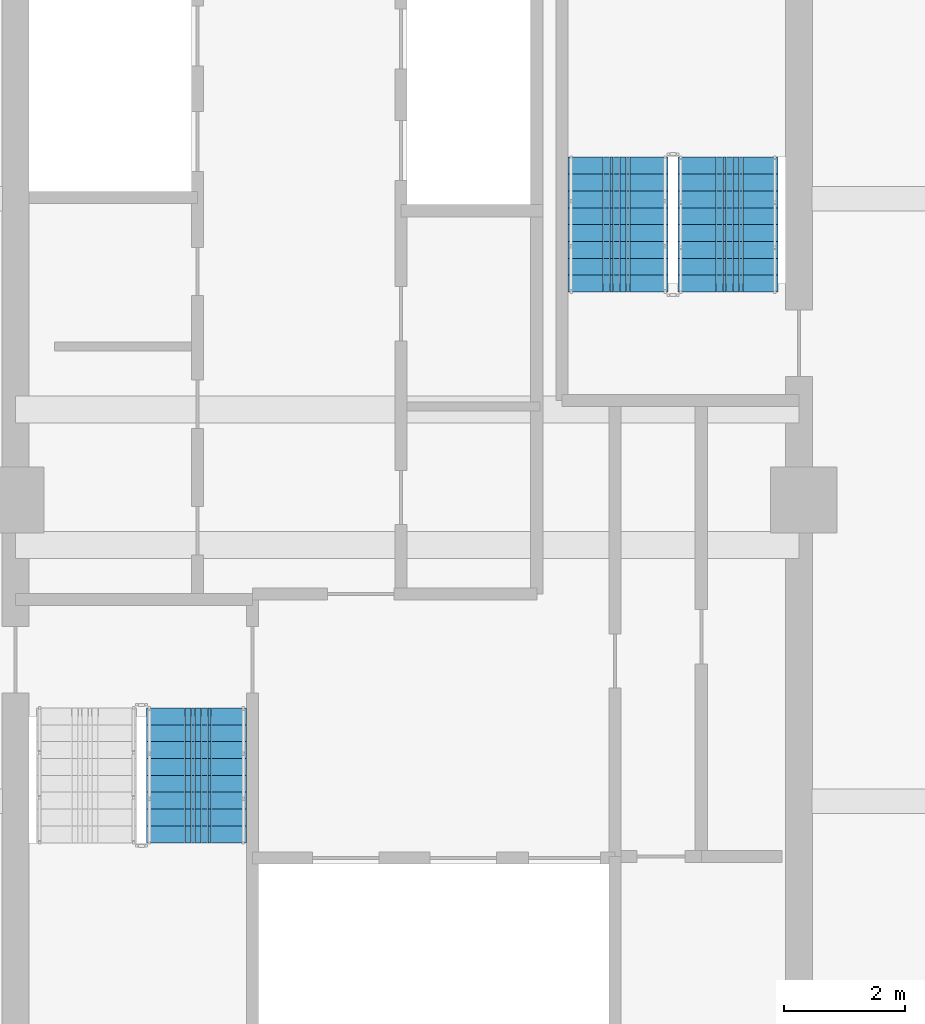
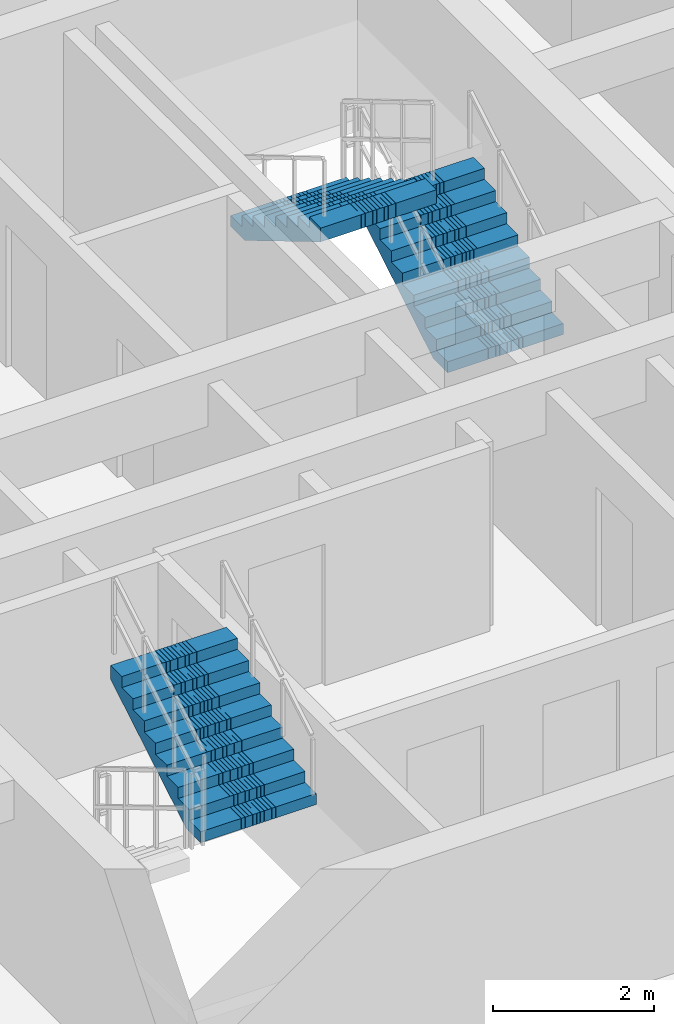
# One storey, part 8 of 13: 3 stair flights, 2 elements without a shape of their own.
"""IFC4 building model written with IfcOpenShell, lengths in metres."""

from ifc_helpers import new_model, si_unit, direction, frame, origin, place, context, subcontext, project, spatial, polyline, outline, extrude, material, type_object, element, aggregate, save


model = new_model("IFC4")

# Units and contexts
model_context = context("Model", 3, precision=1e-05, world=origin(), true_north=direction((0.0, 1.0)))
body_context = subcontext(model_context, "Body", "Model", "MODEL_VIEW")
ifc_project = project(units=[si_unit("LENGTHUNIT", "METRE"), si_unit("AREAUNIT", "SQUARE_METRE"), si_unit("VOLUMEUNIT", "CUBIC_METRE"), si_unit("PLANEANGLEUNIT", "RADIAN"), si_unit("MASSUNIT", "GRAM", prefix="KILO")], contexts=[model_context])

# Site, building, storey
site_placement = place(None, origin())
site = spatial("IfcSite", under=ifc_project, at=site_placement, CompositionType="ELEMENT")
building_placement = place(site_placement, origin())
building = spatial("IfcBuilding", under=site, at=building_placement, Name="Saelheon Loggia Tower", CompositionType="ELEMENT")
storey_placement = place(building_placement, frame((0.0, 0.0, 179.800048828125)))
storey = spatial("IfcBuildingStorey", under=building, at=storey_placement, Name="L56", CompositionType="ELEMENT", Elevation=179.800048828125)

# Stair, stair flight
ifc_material = material(Name="Concrete C40/50", Category="concrete")
stair_type = type_object("IfcStairType", Name="Stair_Escape_Core", PredefinedType="HALF_TURN_STAIR", material=ifc_material)
stair_1_placement = place(storey_placement, origin())
stair_1 = element("IfcStair", 1, at=stair_1_placement, inside=storey, type_object=stair_type, Name="L56 Special Escape Stair ST1", PredefinedType="HALF_TURN_STAIR")
stair_flight_type = type_object("IfcStairFlightType", Name="StairFlight_Tower_1660", PredefinedType="STRAIGHT", material=ifc_material)
stair_flight_1_placement = place(storey_placement, frame((34.5, 21.31005859375, 1.5), z_axis=(0.0, 0.0, 1.0), x_axis=(0.0, 1.0, 0.0)))
stair_flight_1 = element("IfcStairFlight", 2, at=stair_flight_1_placement, type_object=stair_flight_type, Name="ST1 flight 2", NumberOfRisers=9, NumberOfTreads=8, PredefinedType="STRAIGHT", RiserHeight=0.166666667, TreadLength=0.28, context=body_context, shape_type="SweptSolid", body=[
    extrude(outline(polyline([(0.0, 0.0), (0.0, 0.166748046875), (0.280029296875, 0.166748046875), (0.280029296875, 0.333251953125), (0.56005859375, 0.333251953125), (0.56005859375, 0.5), (0.840087890625, 0.5), (0.840087890625, 0.666748046875), (1.1201171875, 0.666748046875), (1.1201171875, 0.833251953125), (1.39990234375, 0.833251953125), (1.39990234375, 1.0), (1.679931640625, 1.0), (1.679931640625, 1.166748046875), (1.9599609375, 1.166748046875), (1.9599609375, 1.333251953125), (2.239990234375, 1.333251953125), (2.239990234375, 1.5), (2.239990234375, 1.1240234375), (0.351806640625, 0.0), (0.0, 0.0)])), frame((0.0, -0.2490234375, 0.0), z_axis=(0.0, -1.0, 0.0), x_axis=(1.0, 0.0, 0.0)), (0.0, 0.0, 1.0), 0.5810546875),
    extrude(outline(polyline([(0.0, 0.0), (0.0, 0.166748046875), (0.280029296875, 0.166748046875), (0.280029296875, 0.333251953125), (0.56005859375, 0.333251953125), (0.56005859375, 0.5), (0.840087890625, 0.5), (0.840087890625, 0.666748046875), (1.1201171875, 0.666748046875), (1.1201171875, 0.833251953125), (1.39990234375, 0.833251953125), (1.39990234375, 1.0), (1.679931640625, 1.0), (1.679931640625, 1.166748046875), (1.9599609375, 1.166748046875), (1.9599609375, 1.333251953125), (2.239990234375, 1.333251953125), (2.239990234375, 1.5), (2.239990234375, 1.1240234375), (0.351806640625, 0.0), (0.0, 0.0)])), frame((0.0, -0.194091796875, 0.0), z_axis=(0.0, -1.0, 0.0), x_axis=(1.0, 0.0, 0.0)), (0.0, 0.0, 1.0), 0.0498046875),
    extrude(outline(polyline([(0.0, 0.0), (0.0, 0.166748046875), (0.280029296875, 0.166748046875), (0.280029296875, 0.333251953125), (0.56005859375, 0.333251953125), (0.56005859375, 0.5), (0.840087890625, 0.5), (0.840087890625, 0.666748046875), (1.1201171875, 0.666748046875), (1.1201171875, 0.833251953125), (1.39990234375, 0.833251953125), (1.39990234375, 1.0), (1.679931640625, 1.0), (1.679931640625, 1.166748046875), (1.9599609375, 1.166748046875), (1.9599609375, 1.333251953125), (2.239990234375, 1.333251953125), (2.239990234375, 1.5), (2.239990234375, 1.1240234375), (0.351806640625, 0.0), (0.0, 0.0)])), frame((0.0, -0.139404296875, 0.0), z_axis=(0.0, -1.0, 0.0), x_axis=(1.0, 0.0, 0.0)), (0.0, 0.0, 1.0), 0.0498046875),
    extrude(outline(polyline([(0.0, 0.0), (0.0, 0.166748046875), (0.280029296875, 0.166748046875), (0.280029296875, 0.333251953125), (0.56005859375, 0.333251953125), (0.56005859375, 0.5), (0.840087890625, 0.5), (0.840087890625, 0.666748046875), (1.1201171875, 0.666748046875), (1.1201171875, 0.833251953125), (1.39990234375, 0.833251953125), (1.39990234375, 1.0), (1.679931640625, 1.0), (1.679931640625, 1.166748046875), (1.9599609375, 1.166748046875), (1.9599609375, 1.333251953125), (2.239990234375, 1.333251953125), (2.239990234375, 1.5), (2.239990234375, 1.1240234375), (0.351806640625, 0.0), (0.0, 0.0)])), frame((0.0, -0.084716796875, 0.0), z_axis=(0.0, -1.0, 0.0), x_axis=(1.0, 0.0, 0.0)), (0.0, 0.0, 1.0), 0.0498046875),
    extrude(outline(polyline([(0.0, 0.0), (0.0, 0.166748046875), (0.280029296875, 0.166748046875), (0.280029296875, 0.333251953125), (0.56005859375, 0.333251953125), (0.56005859375, 0.5), (0.840087890625, 0.5), (0.840087890625, 0.666748046875), (1.1201171875, 0.666748046875), (1.1201171875, 0.833251953125), (1.39990234375, 0.833251953125), (1.39990234375, 1.0), (1.679931640625, 1.0), (1.679931640625, 1.166748046875), (1.9599609375, 1.166748046875), (1.9599609375, 1.333251953125), (2.239990234375, 1.333251953125), (2.239990234375, 1.5), (2.239990234375, 1.1240234375), (0.351806640625, 0.0), (0.0, 0.0)])), frame((0.0, -0.02978515625, 0.0), z_axis=(0.0, -1.0, 0.0), x_axis=(1.0, 0.0, 0.0)), (0.0, 0.0, 1.0), 0.0498046875),
    extrude(outline(polyline([(0.0, 0.0), (0.0, 0.166748046875), (0.280029296875, 0.166748046875), (0.280029296875, 0.333251953125), (0.56005859375, 0.333251953125), (0.56005859375, 0.5), (0.840087890625, 0.5), (0.840087890625, 0.666748046875), (1.1201171875, 0.666748046875), (1.1201171875, 0.833251953125), (1.39990234375, 0.833251953125), (1.39990234375, 1.0), (1.679931640625, 1.0), (1.679931640625, 1.166748046875), (1.9599609375, 1.166748046875), (1.9599609375, 1.333251953125), (2.239990234375, 1.333251953125), (2.239990234375, 1.5), (2.239990234375, 1.1240234375), (0.351806640625, 0.0), (0.0, 0.0)])), frame((0.0, 0.02490234375, 0.0), z_axis=(0.0, -1.0, 0.0), x_axis=(1.0, 0.0, 0.0)), (0.0, 0.0, 1.0), 0.0498046875),
    extrude(outline(polyline([(0.0, 0.0), (0.0, 0.166748046875), (0.280029296875, 0.166748046875), (0.280029296875, 0.333251953125), (0.56005859375, 0.333251953125), (0.56005859375, 0.5), (0.840087890625, 0.5), (0.840087890625, 0.666748046875), (1.1201171875, 0.666748046875), (1.1201171875, 0.833251953125), (1.39990234375, 0.833251953125), (1.39990234375, 1.0), (1.679931640625, 1.0), (1.679931640625, 1.166748046875), (1.9599609375, 1.166748046875), (1.9599609375, 1.333251953125), (2.239990234375, 1.333251953125), (2.239990234375, 1.5), (2.239990234375, 1.1240234375), (0.351806640625, 0.0), (0.0, 0.0)])), frame((0.0, 0.07958984375, 0.0), z_axis=(0.0, -1.0, 0.0), x_axis=(1.0, 0.0, 0.0)), (0.0, 0.0, 1.0), 0.0498046875),
    extrude(outline(polyline([(0.0, 0.0), (0.0, 0.166748046875), (0.280029296875, 0.166748046875), (0.280029296875, 0.333251953125), (0.56005859375, 0.333251953125), (0.56005859375, 0.5), (0.840087890625, 0.5), (0.840087890625, 0.666748046875), (1.1201171875, 0.666748046875), (1.1201171875, 0.833251953125), (1.39990234375, 0.833251953125), (1.39990234375, 1.0), (1.679931640625, 1.0), (1.679931640625, 1.166748046875), (1.9599609375, 1.166748046875), (1.9599609375, 1.333251953125), (2.239990234375, 1.333251953125), (2.239990234375, 1.5), (2.239990234375, 1.1240234375), (0.351806640625, 0.0), (0.0, 0.0)])), frame((0.0, 0.134521484375, 0.0), z_axis=(0.0, -1.0, 0.0), x_axis=(1.0, 0.0, 0.0)), (0.0, 0.0, 1.0), 0.0498046875),
    extrude(outline(polyline([(0.0, 0.0), (0.0, 0.166748046875), (0.280029296875, 0.166748046875), (0.280029296875, 0.333251953125), (0.56005859375, 0.333251953125), (0.56005859375, 0.5), (0.840087890625, 0.5), (0.840087890625, 0.666748046875), (1.1201171875, 0.666748046875), (1.1201171875, 0.833251953125), (1.39990234375, 0.833251953125), (1.39990234375, 1.0), (1.679931640625, 1.0), (1.679931640625, 1.166748046875), (1.9599609375, 1.166748046875), (1.9599609375, 1.333251953125), (2.239990234375, 1.333251953125), (2.239990234375, 1.5), (2.239990234375, 1.1240234375), (0.351806640625, 0.0), (0.0, 0.0)])), frame((0.0, 0.189208984375, 0.0), z_axis=(0.0, -1.0, 0.0), x_axis=(1.0, 0.0, 0.0)), (0.0, 0.0, 1.0), 0.0498046875),
    extrude(outline(polyline([(0.0, 0.0), (0.0, 0.166748046875), (0.280029296875, 0.166748046875), (0.280029296875, 0.333251953125), (0.56005859375, 0.333251953125), (0.56005859375, 0.5), (0.840087890625, 0.5), (0.840087890625, 0.666748046875), (1.1201171875, 0.666748046875), (1.1201171875, 0.833251953125), (1.39990234375, 0.833251953125), (1.39990234375, 1.0), (1.679931640625, 1.0), (1.679931640625, 1.166748046875), (1.9599609375, 1.166748046875), (1.9599609375, 1.333251953125), (2.239990234375, 1.333251953125), (2.239990234375, 1.5), (2.239990234375, 1.1240234375), (0.351806640625, 0.0), (0.0, 0.0)])), frame((0.0, 0.243896484375, 0.0), z_axis=(0.0, -1.0, 0.0), x_axis=(1.0, 0.0, 0.0)), (0.0, 0.0, 1.0), 0.0498046875),
    extrude(outline(polyline([(0.0, 0.0), (0.0, 0.166748046875), (0.280029296875, 0.166748046875), (0.280029296875, 0.333251953125), (0.56005859375, 0.333251953125), (0.56005859375, 0.5), (0.840087890625, 0.5), (0.840087890625, 0.666748046875), (1.1201171875, 0.666748046875), (1.1201171875, 0.833251953125), (1.39990234375, 0.833251953125), (1.39990234375, 1.0), (1.679931640625, 1.0), (1.679931640625, 1.166748046875), (1.9599609375, 1.166748046875), (1.9599609375, 1.333251953125), (2.239990234375, 1.333251953125), (2.239990234375, 1.5), (2.239990234375, 1.1240234375), (0.351806640625, 0.0), (0.0, 0.0)])), frame((0.0, 0.830078125, 0.0), z_axis=(0.0, -1.0, 0.0), x_axis=(1.0, 0.0, 0.0)), (0.0, 0.0, 1.0), 0.5810546875),
])
aggregate(stair_1, [stair_flight_1])

# Stair, stair flights
stair_2_placement = place(storey_placement, origin())
stair_2 = element("IfcStair", 3, at=stair_2_placement, inside=storey, type_object=stair_type, Name="L56 Special Escape Stair ST2", PredefinedType="HALF_TURN_STAIR")
stair_flight_2_placement = place(storey_placement, frame((43.320068359375, 30.449951171875, 0.0), z_axis=(0.0, 0.0, 1.0), x_axis=(0.0, 1.0, 0.0)))
stair_flight_2 = element("IfcStairFlight", 4, at=stair_flight_2_placement, type_object=stair_flight_type, Name="ST2 flight 1", NumberOfRisers=9, NumberOfTreads=8, PredefinedType="STRAIGHT", RiserHeight=0.166666667, TreadLength=0.28, context=body_context, shape_type="SweptSolid", body=[
    extrude(outline(polyline([(0.0, 0.0), (0.0, 0.166748046875), (0.280029296875, 0.166748046875), (0.280029296875, 0.333251953125), (0.56005859375, 0.333251953125), (0.56005859375, 0.5), (0.840087890625, 0.5), (0.840087890625, 0.666748046875), (1.1201171875, 0.666748046875), (1.1201171875, 0.833251953125), (1.39990234375, 0.833251953125), (1.39990234375, 1.0), (1.679931640625, 1.0), (1.679931640625, 1.166748046875), (1.9599609375, 1.166748046875), (1.9599609375, 1.333251953125), (2.239990234375, 1.333251953125), (2.239990234375, 1.5), (2.239990234375, 1.1240234375), (0.351806640625, 0.0), (0.0, 0.0)])), frame((0.0, -0.2490234375, 0.0), z_axis=(0.0, -1.0, 0.0), x_axis=(1.0, 0.0, 0.0)), (0.0, 0.0, 1.0), 0.5810546875),
    extrude(outline(polyline([(0.0, 0.0), (0.0, 0.166748046875), (0.280029296875, 0.166748046875), (0.280029296875, 0.333251953125), (0.56005859375, 0.333251953125), (0.56005859375, 0.5), (0.840087890625, 0.5), (0.840087890625, 0.666748046875), (1.1201171875, 0.666748046875), (1.1201171875, 0.833251953125), (1.39990234375, 0.833251953125), (1.39990234375, 1.0), (1.679931640625, 1.0), (1.679931640625, 1.166748046875), (1.9599609375, 1.166748046875), (1.9599609375, 1.333251953125), (2.239990234375, 1.333251953125), (2.239990234375, 1.5), (2.239990234375, 1.1240234375), (0.351806640625, 0.0), (0.0, 0.0)])), frame((0.0, -0.194091796875, 0.0), z_axis=(0.0, -1.0, 0.0), x_axis=(1.0, 0.0, 0.0)), (0.0, 0.0, 1.0), 0.0498046875),
    extrude(outline(polyline([(0.0, 0.0), (0.0, 0.166748046875), (0.280029296875, 0.166748046875), (0.280029296875, 0.333251953125), (0.56005859375, 0.333251953125), (0.56005859375, 0.5), (0.840087890625, 0.5), (0.840087890625, 0.666748046875), (1.1201171875, 0.666748046875), (1.1201171875, 0.833251953125), (1.39990234375, 0.833251953125), (1.39990234375, 1.0), (1.679931640625, 1.0), (1.679931640625, 1.166748046875), (1.9599609375, 1.166748046875), (1.9599609375, 1.333251953125), (2.239990234375, 1.333251953125), (2.239990234375, 1.5), (2.239990234375, 1.1240234375), (0.351806640625, 0.0), (0.0, 0.0)])), frame((0.0, -0.139404296875, 0.0), z_axis=(0.0, -1.0, 0.0), x_axis=(1.0, 0.0, 0.0)), (0.0, 0.0, 1.0), 0.0498046875),
    extrude(outline(polyline([(0.0, 0.0), (0.0, 0.166748046875), (0.280029296875, 0.166748046875), (0.280029296875, 0.333251953125), (0.56005859375, 0.333251953125), (0.56005859375, 0.5), (0.840087890625, 0.5), (0.840087890625, 0.666748046875), (1.1201171875, 0.666748046875), (1.1201171875, 0.833251953125), (1.39990234375, 0.833251953125), (1.39990234375, 1.0), (1.679931640625, 1.0), (1.679931640625, 1.166748046875), (1.9599609375, 1.166748046875), (1.9599609375, 1.333251953125), (2.239990234375, 1.333251953125), (2.239990234375, 1.5), (2.239990234375, 1.1240234375), (0.351806640625, 0.0), (0.0, 0.0)])), frame((0.0, -0.084716796875, 0.0), z_axis=(0.0, -1.0, 0.0), x_axis=(1.0, 0.0, 0.0)), (0.0, 0.0, 1.0), 0.0498046875),
    extrude(outline(polyline([(0.0, 0.0), (0.0, 0.166748046875), (0.280029296875, 0.166748046875), (0.280029296875, 0.333251953125), (0.56005859375, 0.333251953125), (0.56005859375, 0.5), (0.840087890625, 0.5), (0.840087890625, 0.666748046875), (1.1201171875, 0.666748046875), (1.1201171875, 0.833251953125), (1.39990234375, 0.833251953125), (1.39990234375, 1.0), (1.679931640625, 1.0), (1.679931640625, 1.166748046875), (1.9599609375, 1.166748046875), (1.9599609375, 1.333251953125), (2.239990234375, 1.333251953125), (2.239990234375, 1.5), (2.239990234375, 1.1240234375), (0.351806640625, 0.0), (0.0, 0.0)])), frame((0.0, -0.02978515625, 0.0), z_axis=(0.0, -1.0, 0.0), x_axis=(1.0, 0.0, 0.0)), (0.0, 0.0, 1.0), 0.0498046875),
    extrude(outline(polyline([(0.0, 0.0), (0.0, 0.166748046875), (0.280029296875, 0.166748046875), (0.280029296875, 0.333251953125), (0.56005859375, 0.333251953125), (0.56005859375, 0.5), (0.840087890625, 0.5), (0.840087890625, 0.666748046875), (1.1201171875, 0.666748046875), (1.1201171875, 0.833251953125), (1.39990234375, 0.833251953125), (1.39990234375, 1.0), (1.679931640625, 1.0), (1.679931640625, 1.166748046875), (1.9599609375, 1.166748046875), (1.9599609375, 1.333251953125), (2.239990234375, 1.333251953125), (2.239990234375, 1.5), (2.239990234375, 1.1240234375), (0.351806640625, 0.0), (0.0, 0.0)])), frame((0.0, 0.02490234375, 0.0), z_axis=(0.0, -1.0, 0.0), x_axis=(1.0, 0.0, 0.0)), (0.0, 0.0, 1.0), 0.0498046875),
    extrude(outline(polyline([(0.0, 0.0), (0.0, 0.166748046875), (0.280029296875, 0.166748046875), (0.280029296875, 0.333251953125), (0.56005859375, 0.333251953125), (0.56005859375, 0.5), (0.840087890625, 0.5), (0.840087890625, 0.666748046875), (1.1201171875, 0.666748046875), (1.1201171875, 0.833251953125), (1.39990234375, 0.833251953125), (1.39990234375, 1.0), (1.679931640625, 1.0), (1.679931640625, 1.166748046875), (1.9599609375, 1.166748046875), (1.9599609375, 1.333251953125), (2.239990234375, 1.333251953125), (2.239990234375, 1.5), (2.239990234375, 1.1240234375), (0.351806640625, 0.0), (0.0, 0.0)])), frame((0.0, 0.07958984375, 0.0), z_axis=(0.0, -1.0, 0.0), x_axis=(1.0, 0.0, 0.0)), (0.0, 0.0, 1.0), 0.0498046875),
    extrude(outline(polyline([(0.0, 0.0), (0.0, 0.166748046875), (0.280029296875, 0.166748046875), (0.280029296875, 0.333251953125), (0.56005859375, 0.333251953125), (0.56005859375, 0.5), (0.840087890625, 0.5), (0.840087890625, 0.666748046875), (1.1201171875, 0.666748046875), (1.1201171875, 0.833251953125), (1.39990234375, 0.833251953125), (1.39990234375, 1.0), (1.679931640625, 1.0), (1.679931640625, 1.166748046875), (1.9599609375, 1.166748046875), (1.9599609375, 1.333251953125), (2.239990234375, 1.333251953125), (2.239990234375, 1.5), (2.239990234375, 1.1240234375), (0.351806640625, 0.0), (0.0, 0.0)])), frame((0.0, 0.134521484375, 0.0), z_axis=(0.0, -1.0, 0.0), x_axis=(1.0, 0.0, 0.0)), (0.0, 0.0, 1.0), 0.0498046875),
    extrude(outline(polyline([(0.0, 0.0), (0.0, 0.166748046875), (0.280029296875, 0.166748046875), (0.280029296875, 0.333251953125), (0.56005859375, 0.333251953125), (0.56005859375, 0.5), (0.840087890625, 0.5), (0.840087890625, 0.666748046875), (1.1201171875, 0.666748046875), (1.1201171875, 0.833251953125), (1.39990234375, 0.833251953125), (1.39990234375, 1.0), (1.679931640625, 1.0), (1.679931640625, 1.166748046875), (1.9599609375, 1.166748046875), (1.9599609375, 1.333251953125), (2.239990234375, 1.333251953125), (2.239990234375, 1.5), (2.239990234375, 1.1240234375), (0.351806640625, 0.0), (0.0, 0.0)])), frame((0.0, 0.189208984375, 0.0), z_axis=(0.0, -1.0, 0.0), x_axis=(1.0, 0.0, 0.0)), (0.0, 0.0, 1.0), 0.0498046875),
    extrude(outline(polyline([(0.0, 0.0), (0.0, 0.166748046875), (0.280029296875, 0.166748046875), (0.280029296875, 0.333251953125), (0.56005859375, 0.333251953125), (0.56005859375, 0.5), (0.840087890625, 0.5), (0.840087890625, 0.666748046875), (1.1201171875, 0.666748046875), (1.1201171875, 0.833251953125), (1.39990234375, 0.833251953125), (1.39990234375, 1.0), (1.679931640625, 1.0), (1.679931640625, 1.166748046875), (1.9599609375, 1.166748046875), (1.9599609375, 1.333251953125), (2.239990234375, 1.333251953125), (2.239990234375, 1.5), (2.239990234375, 1.1240234375), (0.351806640625, 0.0), (0.0, 0.0)])), frame((0.0, 0.243896484375, 0.0), z_axis=(0.0, -1.0, 0.0), x_axis=(1.0, 0.0, 0.0)), (0.0, 0.0, 1.0), 0.0498046875),
    extrude(outline(polyline([(0.0, 0.0), (0.0, 0.166748046875), (0.280029296875, 0.166748046875), (0.280029296875, 0.333251953125), (0.56005859375, 0.333251953125), (0.56005859375, 0.5), (0.840087890625, 0.5), (0.840087890625, 0.666748046875), (1.1201171875, 0.666748046875), (1.1201171875, 0.833251953125), (1.39990234375, 0.833251953125), (1.39990234375, 1.0), (1.679931640625, 1.0), (1.679931640625, 1.166748046875), (1.9599609375, 1.166748046875), (1.9599609375, 1.333251953125), (2.239990234375, 1.333251953125), (2.239990234375, 1.5), (2.239990234375, 1.1240234375), (0.351806640625, 0.0), (0.0, 0.0)])), frame((0.0, 0.830078125, 0.0), z_axis=(0.0, -1.0, 0.0), x_axis=(1.0, 0.0, 0.0)), (0.0, 0.0, 1.0), 0.5810546875),
])
stair_flight_3_placement = place(storey_placement, frame((41.5, 32.68994140625, 1.5), z_axis=(0.0, 0.0, 1.0), x_axis=(0.0, -1.0, 0.0)))
stair_flight_3 = element("IfcStairFlight", 5, at=stair_flight_3_placement, type_object=stair_flight_type, Name="ST2 flight 2", NumberOfRisers=9, NumberOfTreads=8, PredefinedType="STRAIGHT", RiserHeight=0.166666667, TreadLength=0.28, context=body_context, shape_type="SweptSolid", body=[
    extrude(outline(polyline([(0.0, 0.0), (0.0, 0.166748046875), (0.280029296875, 0.166748046875), (0.280029296875, 0.333251953125), (0.56005859375, 0.333251953125), (0.56005859375, 0.5), (0.840087890625, 0.5), (0.840087890625, 0.666748046875), (1.1201171875, 0.666748046875), (1.1201171875, 0.833251953125), (1.39990234375, 0.833251953125), (1.39990234375, 1.0), (1.679931640625, 1.0), (1.679931640625, 1.166748046875), (1.9599609375, 1.166748046875), (1.9599609375, 1.333251953125), (2.239990234375, 1.333251953125), (2.239990234375, 1.5), (2.239990234375, 1.1240234375), (0.351806640625, 0.0), (0.0, 0.0)])), frame((0.0, -0.2490234375, 0.0), z_axis=(0.0, -1.0, 0.0), x_axis=(1.0, 0.0, 0.0)), (0.0, 0.0, 1.0), 0.5810546875),
    extrude(outline(polyline([(0.0, 0.0), (0.0, 0.166748046875), (0.280029296875, 0.166748046875), (0.280029296875, 0.333251953125), (0.56005859375, 0.333251953125), (0.56005859375, 0.5), (0.840087890625, 0.5), (0.840087890625, 0.666748046875), (1.1201171875, 0.666748046875), (1.1201171875, 0.833251953125), (1.39990234375, 0.833251953125), (1.39990234375, 1.0), (1.679931640625, 1.0), (1.679931640625, 1.166748046875), (1.9599609375, 1.166748046875), (1.9599609375, 1.333251953125), (2.239990234375, 1.333251953125), (2.239990234375, 1.5), (2.239990234375, 1.1240234375), (0.351806640625, 0.0), (0.0, 0.0)])), frame((0.0, -0.194091796875, 0.0), z_axis=(0.0, -1.0, 0.0), x_axis=(1.0, 0.0, 0.0)), (0.0, 0.0, 1.0), 0.0498046875),
    extrude(outline(polyline([(0.0, 0.0), (0.0, 0.166748046875), (0.280029296875, 0.166748046875), (0.280029296875, 0.333251953125), (0.56005859375, 0.333251953125), (0.56005859375, 0.5), (0.840087890625, 0.5), (0.840087890625, 0.666748046875), (1.1201171875, 0.666748046875), (1.1201171875, 0.833251953125), (1.39990234375, 0.833251953125), (1.39990234375, 1.0), (1.679931640625, 1.0), (1.679931640625, 1.166748046875), (1.9599609375, 1.166748046875), (1.9599609375, 1.333251953125), (2.239990234375, 1.333251953125), (2.239990234375, 1.5), (2.239990234375, 1.1240234375), (0.351806640625, 0.0), (0.0, 0.0)])), frame((0.0, -0.139404296875, 0.0), z_axis=(0.0, -1.0, 0.0), x_axis=(1.0, 0.0, 0.0)), (0.0, 0.0, 1.0), 0.0498046875),
    extrude(outline(polyline([(0.0, 0.0), (0.0, 0.166748046875), (0.280029296875, 0.166748046875), (0.280029296875, 0.333251953125), (0.56005859375, 0.333251953125), (0.56005859375, 0.5), (0.840087890625, 0.5), (0.840087890625, 0.666748046875), (1.1201171875, 0.666748046875), (1.1201171875, 0.833251953125), (1.39990234375, 0.833251953125), (1.39990234375, 1.0), (1.679931640625, 1.0), (1.679931640625, 1.166748046875), (1.9599609375, 1.166748046875), (1.9599609375, 1.333251953125), (2.239990234375, 1.333251953125), (2.239990234375, 1.5), (2.239990234375, 1.1240234375), (0.351806640625, 0.0), (0.0, 0.0)])), frame((0.0, -0.084716796875, 0.0), z_axis=(0.0, -1.0, 0.0), x_axis=(1.0, 0.0, 0.0)), (0.0, 0.0, 1.0), 0.0498046875),
    extrude(outline(polyline([(0.0, 0.0), (0.0, 0.166748046875), (0.280029296875, 0.166748046875), (0.280029296875, 0.333251953125), (0.56005859375, 0.333251953125), (0.56005859375, 0.5), (0.840087890625, 0.5), (0.840087890625, 0.666748046875), (1.1201171875, 0.666748046875), (1.1201171875, 0.833251953125), (1.39990234375, 0.833251953125), (1.39990234375, 1.0), (1.679931640625, 1.0), (1.679931640625, 1.166748046875), (1.9599609375, 1.166748046875), (1.9599609375, 1.333251953125), (2.239990234375, 1.333251953125), (2.239990234375, 1.5), (2.239990234375, 1.1240234375), (0.351806640625, 0.0), (0.0, 0.0)])), frame((0.0, -0.02978515625, 0.0), z_axis=(0.0, -1.0, 0.0), x_axis=(1.0, 0.0, 0.0)), (0.0, 0.0, 1.0), 0.0498046875),
    extrude(outline(polyline([(0.0, 0.0), (0.0, 0.166748046875), (0.280029296875, 0.166748046875), (0.280029296875, 0.333251953125), (0.56005859375, 0.333251953125), (0.56005859375, 0.5), (0.840087890625, 0.5), (0.840087890625, 0.666748046875), (1.1201171875, 0.666748046875), (1.1201171875, 0.833251953125), (1.39990234375, 0.833251953125), (1.39990234375, 1.0), (1.679931640625, 1.0), (1.679931640625, 1.166748046875), (1.9599609375, 1.166748046875), (1.9599609375, 1.333251953125), (2.239990234375, 1.333251953125), (2.239990234375, 1.5), (2.239990234375, 1.1240234375), (0.351806640625, 0.0), (0.0, 0.0)])), frame((0.0, 0.02490234375, 0.0), z_axis=(0.0, -1.0, 0.0), x_axis=(1.0, 0.0, 0.0)), (0.0, 0.0, 1.0), 0.0498046875),
    extrude(outline(polyline([(0.0, 0.0), (0.0, 0.166748046875), (0.280029296875, 0.166748046875), (0.280029296875, 0.333251953125), (0.56005859375, 0.333251953125), (0.56005859375, 0.5), (0.840087890625, 0.5), (0.840087890625, 0.666748046875), (1.1201171875, 0.666748046875), (1.1201171875, 0.833251953125), (1.39990234375, 0.833251953125), (1.39990234375, 1.0), (1.679931640625, 1.0), (1.679931640625, 1.166748046875), (1.9599609375, 1.166748046875), (1.9599609375, 1.333251953125), (2.239990234375, 1.333251953125), (2.239990234375, 1.5), (2.239990234375, 1.1240234375), (0.351806640625, 0.0), (0.0, 0.0)])), frame((0.0, 0.07958984375, 0.0), z_axis=(0.0, -1.0, 0.0), x_axis=(1.0, 0.0, 0.0)), (0.0, 0.0, 1.0), 0.0498046875),
    extrude(outline(polyline([(0.0, 0.0), (0.0, 0.166748046875), (0.280029296875, 0.166748046875), (0.280029296875, 0.333251953125), (0.56005859375, 0.333251953125), (0.56005859375, 0.5), (0.840087890625, 0.5), (0.840087890625, 0.666748046875), (1.1201171875, 0.666748046875), (1.1201171875, 0.833251953125), (1.39990234375, 0.833251953125), (1.39990234375, 1.0), (1.679931640625, 1.0), (1.679931640625, 1.166748046875), (1.9599609375, 1.166748046875), (1.9599609375, 1.333251953125), (2.239990234375, 1.333251953125), (2.239990234375, 1.5), (2.239990234375, 1.1240234375), (0.351806640625, 0.0), (0.0, 0.0)])), frame((0.0, 0.134521484375, 0.0), z_axis=(0.0, -1.0, 0.0), x_axis=(1.0, 0.0, 0.0)), (0.0, 0.0, 1.0), 0.0498046875),
    extrude(outline(polyline([(0.0, 0.0), (0.0, 0.166748046875), (0.280029296875, 0.166748046875), (0.280029296875, 0.333251953125), (0.56005859375, 0.333251953125), (0.56005859375, 0.5), (0.840087890625, 0.5), (0.840087890625, 0.666748046875), (1.1201171875, 0.666748046875), (1.1201171875, 0.833251953125), (1.39990234375, 0.833251953125), (1.39990234375, 1.0), (1.679931640625, 1.0), (1.679931640625, 1.166748046875), (1.9599609375, 1.166748046875), (1.9599609375, 1.333251953125), (2.239990234375, 1.333251953125), (2.239990234375, 1.5), (2.239990234375, 1.1240234375), (0.351806640625, 0.0), (0.0, 0.0)])), frame((0.0, 0.189208984375, 0.0), z_axis=(0.0, -1.0, 0.0), x_axis=(1.0, 0.0, 0.0)), (0.0, 0.0, 1.0), 0.0498046875),
    extrude(outline(polyline([(0.0, 0.0), (0.0, 0.166748046875), (0.280029296875, 0.166748046875), (0.280029296875, 0.333251953125), (0.56005859375, 0.333251953125), (0.56005859375, 0.5), (0.840087890625, 0.5), (0.840087890625, 0.666748046875), (1.1201171875, 0.666748046875), (1.1201171875, 0.833251953125), (1.39990234375, 0.833251953125), (1.39990234375, 1.0), (1.679931640625, 1.0), (1.679931640625, 1.166748046875), (1.9599609375, 1.166748046875), (1.9599609375, 1.333251953125), (2.239990234375, 1.333251953125), (2.239990234375, 1.5), (2.239990234375, 1.1240234375), (0.351806640625, 0.0), (0.0, 0.0)])), frame((0.0, 0.243896484375, 0.0), z_axis=(0.0, -1.0, 0.0), x_axis=(1.0, 0.0, 0.0)), (0.0, 0.0, 1.0), 0.0498046875),
    extrude(outline(polyline([(0.0, 0.0), (0.0, 0.166748046875), (0.280029296875, 0.166748046875), (0.280029296875, 0.333251953125), (0.56005859375, 0.333251953125), (0.56005859375, 0.5), (0.840087890625, 0.5), (0.840087890625, 0.666748046875), (1.1201171875, 0.666748046875), (1.1201171875, 0.833251953125), (1.39990234375, 0.833251953125), (1.39990234375, 1.0), (1.679931640625, 1.0), (1.679931640625, 1.166748046875), (1.9599609375, 1.166748046875), (1.9599609375, 1.333251953125), (2.239990234375, 1.333251953125), (2.239990234375, 1.5), (2.239990234375, 1.1240234375), (0.351806640625, 0.0), (0.0, 0.0)])), frame((0.0, 0.830078125, 0.0), z_axis=(0.0, -1.0, 0.0), x_axis=(1.0, 0.0, 0.0)), (0.0, 0.0, 1.0), 0.5810546875),
])
aggregate(stair_2, [stair_flight_2, stair_flight_3])

save(model, "model.ifc")
